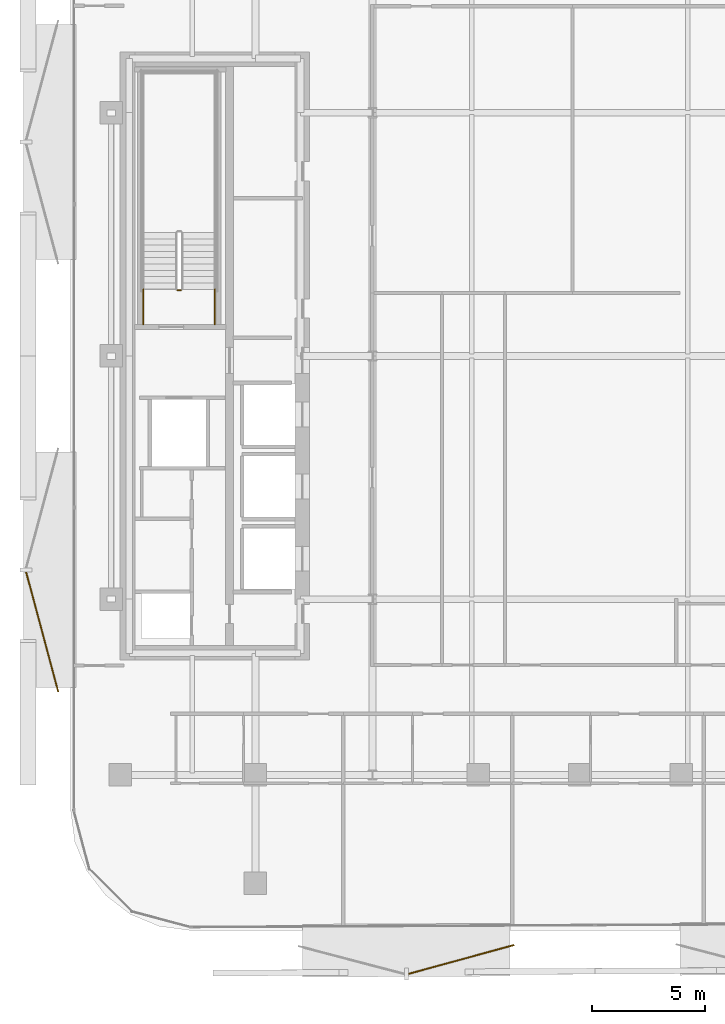
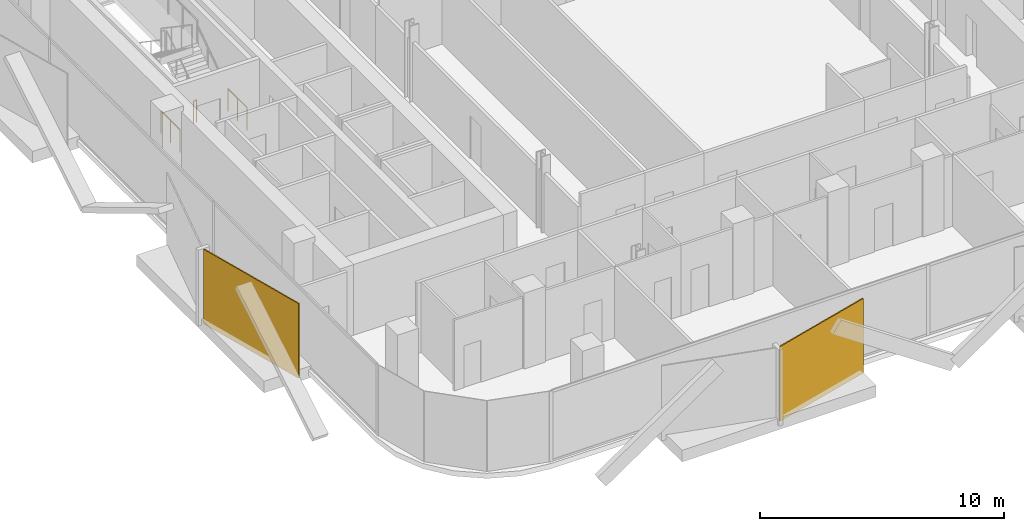
# One storey, part 13 of 17: 3 railings, 2 coverings.
"""IFC4 building model written with IfcOpenShell, lengths in metres."""

from ifc_helpers import new_model, si_unit, direction, frame, origin, origin_2d, place, context, subcontext, project, spatial, rectangle, circle, extrude, material, layer, layer_set, type_object, element, save


model = new_model("IFC4")

# Units and contexts
model_context = context("Model", 3, precision=1e-05, world=origin(), true_north=direction((0.0, 1.0)))
body_context = subcontext(model_context, "Body", "Model", "MODEL_VIEW")
ifc_project = project(units=[si_unit("LENGTHUNIT", "METRE"), si_unit("AREAUNIT", "SQUARE_METRE"), si_unit("VOLUMEUNIT", "CUBIC_METRE"), si_unit("PLANEANGLEUNIT", "RADIAN"), si_unit("MASSUNIT", "GRAM", prefix="KILO")], contexts=[model_context])

# Site, building, storey
site_placement = place(None, origin())
site = spatial("IfcSite", under=ifc_project, at=site_placement, CompositionType="ELEMENT")
building_placement = place(site_placement, origin())
building = spatial("IfcBuilding", under=site, at=building_placement, Name="Khairoan Windgate Tower", CompositionType="ELEMENT")
storey_placement = place(building_placement, frame((0.0, 0.0, 195.39990234375)))
storey = spatial("IfcBuildingStorey", under=building, at=storey_placement, Name="L45", CompositionType="ELEMENT", Elevation=195.39990234375)

# Coverings
ifc_material_1 = material(Name="Anodised Bronze Aluminium 6063-T6", Category="aluminium")
ifc_layer = layer(ifc_material_1, 0.054931640625, Name="Anodised Bronze Aluminium 6063-T6")
ifc_layer_set = layer_set([ifc_layer], Name="Anodised Bronze Aluminium 6063-T6")
covering_type = type_object("IfcCoveringType", Name="Perforated Bronze-Ceramic Folded Solar Screen Cladding BSC-1", PredefinedType="CLADDING", material=ifc_layer_set)
covering_1_placement = place(storey_placement, frame((-5.264404296875, -26.791748046875, -0.10009765625), z_axis=(0.0, 0.0, 1.0), x_axis=(-0.964649468762, -0.263536339841, 0.0)))
element("IfcCovering", 1, at=covering_1_placement, inside=storey, type_object=covering_type, Name="L45 Folded Bronze Solar Screen Facet 298L", PredefinedType="CLADDING", context=body_context, shape_type="SweptSolid", body=[
    extrude(rectangle(XDim=4.861083984375, YDim=0.054931640625, at=origin_2d()), origin(), (0.0, 0.0, 1.0), 3.739990234375),
])
covering_2_placement = place(storey_placement, frame((-23.8671875, -12.2451171875, -0.10009765625), z_axis=(0.0, 0.0, 1.0), x_axis=(-0.258819045103, 0.965925826289, 0.0)))
element("IfcCovering", 2, at=covering_2_placement, inside=storey, type_object=covering_type, Name="L45 Folded Bronze Solar Screen Facet 299L", PredefinedType="CLADDING", context=body_context, shape_type="SweptSolid", body=[
    extrude(rectangle(XDim=5.507080078125, YDim=0.054931640625, at=origin_2d()), origin(), (0.0, 0.0, 1.0), 3.739990234375),
])

# Railings
ifc_material_2 = material(Name="Steel S355", Category="steel")
railing_type = type_object("IfcRailingType", Name="Stairwell Safety Guardrail SGR-1150", PredefinedType="GUARDRAIL", material=ifc_material_2)
railing_placement = place(storey_placement, frame((-17.7099609375, 2.909912109375, 0.0)))
element("IfcRailing", 3, at=railing_placement, inside=storey, type_object=railing_type, Name="L45 ST2 stair guard 7", PredefinedType="GUARDRAIL", context=body_context, shape_type="SweptSolid", body=[
    extrude(circle(Radius=0.02392578125, at=origin_2d()), frame((0.0, 0.0, 1.1259765625), z_axis=(-1.0, 0.0, 0.0), x_axis=(0.0, -1.0, 0.0)), (0.0, 0.0, 1.0), 0.150146484375),
    extrude(circle(Radius=0.02099609375, at=origin_2d()), origin(), (0.0, 0.0, 1.0), 1.101806640625),
    extrude(circle(Radius=0.02099609375, at=origin_2d()), frame((-0.150146484375, 0.0, 0.0)), (0.0, 0.0, 1.0), 1.101806640625),
])
for number, where, name in (
    (4, (-16.199951171875, 1.39990234375, 0.0), "L45 ST2 stair guard 8"),
    (5, (-19.3701171875, 1.39990234375, 0.0), "L45 ST2 stair guard 9"),
):
    element("IfcRailing", number, at=place(storey_placement, frame(where)), inside=storey, type_object=railing_type, Name=name, PredefinedType="GUARDRAIL", context=body_context, shape_type="SweptSolid", body=[
        extrude(circle(Radius=0.02392578125, at=origin_2d()), frame((0.0, 0.0, 1.1259765625), z_axis=(0.0, 1.0, 0.0), x_axis=(-1.0, 0.0, 0.0)), (0.0, 0.0, 1.0), 1.56005859375),
        extrude(circle(Radius=0.02099609375, at=origin_2d()), origin(), (0.0, 0.0, 1.0), 1.101806640625),
        extrude(circle(Radius=0.02099609375, at=origin_2d()), frame((0.0, 0.780029296875, 0.0)), (0.0, 0.0, 1.0), 1.101806640625),
        extrude(circle(Radius=0.02099609375, at=origin_2d()), frame((0.0, 1.56005859375, 0.0)), (0.0, 0.0, 1.0), 1.101806640625),
    ])

save(model, "model.ifc")
